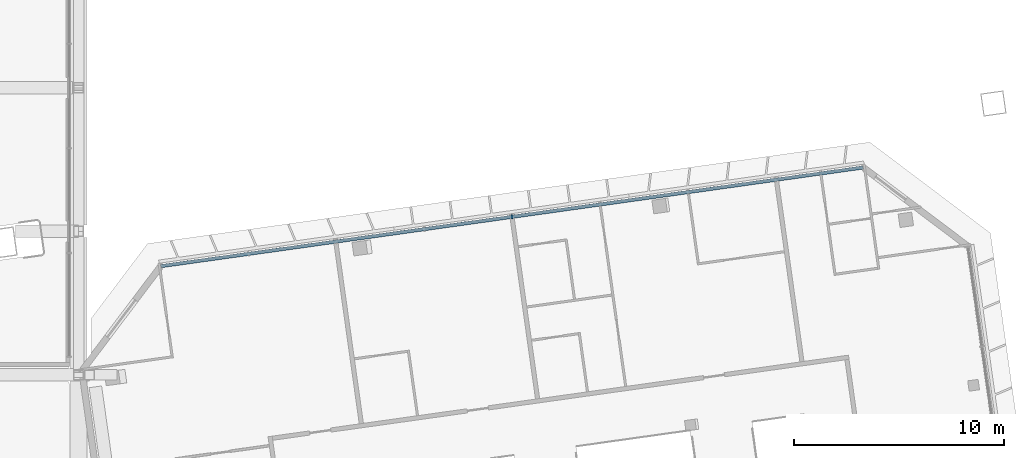
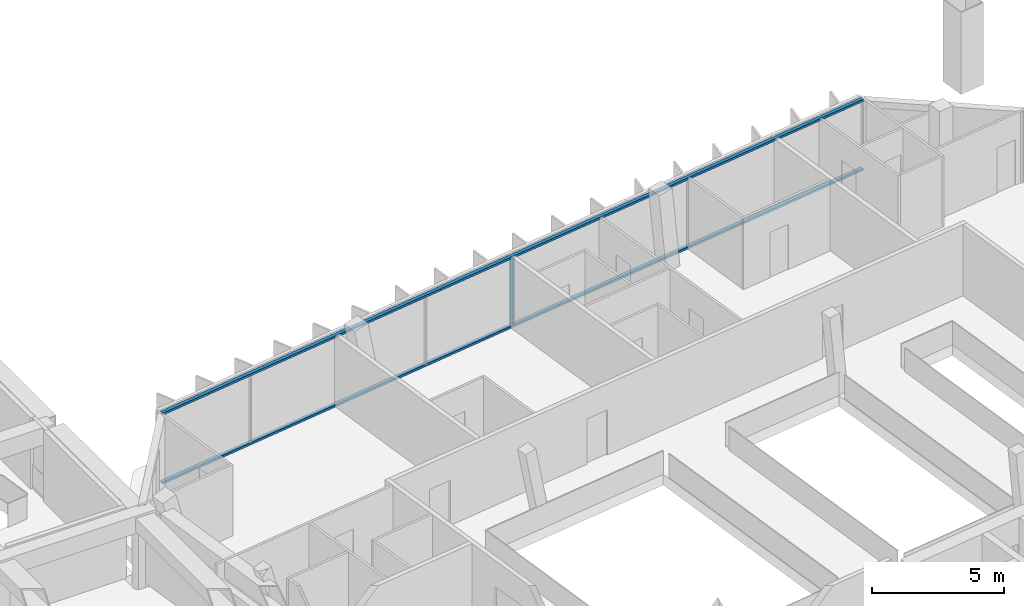
# One storey, part 10 of 25: 3 members, 1 element without a shape of its own.
"""IFC4 building model written with IfcOpenShell, lengths in metres."""

from ifc_helpers import new_model, si_unit, direction, frame, origin, origin_2d, place, context, subcontext, project, spatial, rectangle, extrude, material, material_profile, profile_set, type_object, element, aggregate, save


model = new_model("IFC4")

# Units and contexts
model_context = context("Model", 3, precision=1e-05, world=origin(), true_north=direction((0.0, 1.0)))
body_context = subcontext(model_context, "Body", "Model", "MODEL_VIEW")
ifc_project = project(units=[si_unit("LENGTHUNIT", "METRE"), si_unit("AREAUNIT", "SQUARE_METRE"), si_unit("VOLUMEUNIT", "CUBIC_METRE"), si_unit("PLANEANGLEUNIT", "RADIAN"), si_unit("MASSUNIT", "GRAM", prefix="KILO")], contexts=[model_context])

# Site, building, storey
site_placement = place(None, origin())
site = spatial("IfcSite", under=ifc_project, at=site_placement, CompositionType="ELEMENT")
building_placement = place(site_placement, origin())
building = spatial("IfcBuilding", under=site, at=building_placement, Name="Mirante Cascada Hotel Towers", CompositionType="ELEMENT")
storey_placement = place(building_placement, frame((0.0, 0.0, 266.0)))
storey = spatial("IfcBuildingStorey", under=building, at=storey_placement, Name="L64", CompositionType="ELEMENT", Elevation=266.0)

# Curtain wall, members
ifc_material_1 = material(Name="Aluminium mullion and transom frame with clear laminated glass", Category="aluminium")
curtain_wall_type = type_object("IfcCurtainWallType", Name="Ribbon curtain wall ECW1", PredefinedType="NOTDEFINED", material=ifc_material_1)
curtain_wall_placement = place(storey_placement, origin())
curtain_wall = element("IfcCurtainWall", 1, at=curtain_wall_placement, inside=storey, type_object=curtain_wall_type, Name="Front ribbon wall T2 L64", PredefinedType="NOTDEFINED")
ifc_material_2 = material(Name="Anodised aluminium extrusion", Category="aluminium")
ifc_material_profile_1 = material_profile(ifc_material_2, rectangle(XDim=0.2, YDim=0.065, at=origin_2d()), Name="ECW1 MULLION 65x200")
ifc_profile_set_1 = profile_set([ifc_material_profile_1], Name="Anodised aluminium extrusion")
member_type_1 = type_object("IfcMemberType", Name="ECW1 mullion 65x200", PredefinedType="MULLION", material=ifc_profile_set_1)
member_1_placement = place(storey_placement, frame((32.8799, 17.44, 0.1), z_axis=(0.0, 0.0, 1.0), x_axis=(0.1391731, -0.9902681, 0.0)))
member_1 = element("IfcMember", 2, at=member_1_placement, type_object=member_type_1, Name="ECW1 mullion 5", PredefinedType="MULLION", context=body_context, shape_type="SweptSolid", body=[
    extrude(rectangle(XDim=0.2, YDim=0.065, at=origin_2d()), origin(), (0.0, 0.0, 1.0), 3.1),
])
ifc_material_3 = material(Name="Anodised aluminium extrusion", Category="aluminium")
ifc_material_profile_2 = material_profile(ifc_material_3, rectangle(XDim=0.16, YDim=0.1, at=origin_2d()), Name="ECW1 TRANSOM 100x160")
ifc_profile_set_2 = profile_set([ifc_material_profile_2], Name="Anodised aluminium extrusion")
member_type_2 = type_object("IfcMemberType", Name="ECW1 transom 100x160", PredefinedType="USERDEFINED", material=ifc_profile_set_2)
member_2_placement = place(storey_placement, frame((49.5961, 19.7893, 0.05), z_axis=(-0.9902681, -0.1391726, 0.0), x_axis=(0.1391726, -0.9902681, 0.0)))
member_2 = element("IfcMember", 3, at=member_2_placement, type_object=member_type_2, Name="ECW1 sill transom", ObjectType="TRANSOM", PredefinedType="USERDEFINED", context=body_context, shape_type="SweptSolid", body=[
    extrude(rectangle(XDim=0.16, YDim=0.1, at=origin_2d()), origin(), (0.0, 0.0, 1.0), 33.761),
])
member_3_placement = place(storey_placement, frame((49.5961, 19.7893, 3.25), z_axis=(-0.9902681, -0.1391726, 0.0), x_axis=(0.1391726, -0.9902681, 0.0)))
member_3 = element("IfcMember", 4, at=member_3_placement, type_object=member_type_2, Name="ECW1 head transom", ObjectType="TRANSOM", PredefinedType="USERDEFINED", context=body_context, shape_type="SweptSolid", body=[
    extrude(rectangle(XDim=0.16, YDim=0.1, at=origin_2d()), origin(), (0.0, 0.0, 1.0), 33.761),
])
aggregate(curtain_wall, [member_2, member_3, member_1])

save(model, "model.ifc")
